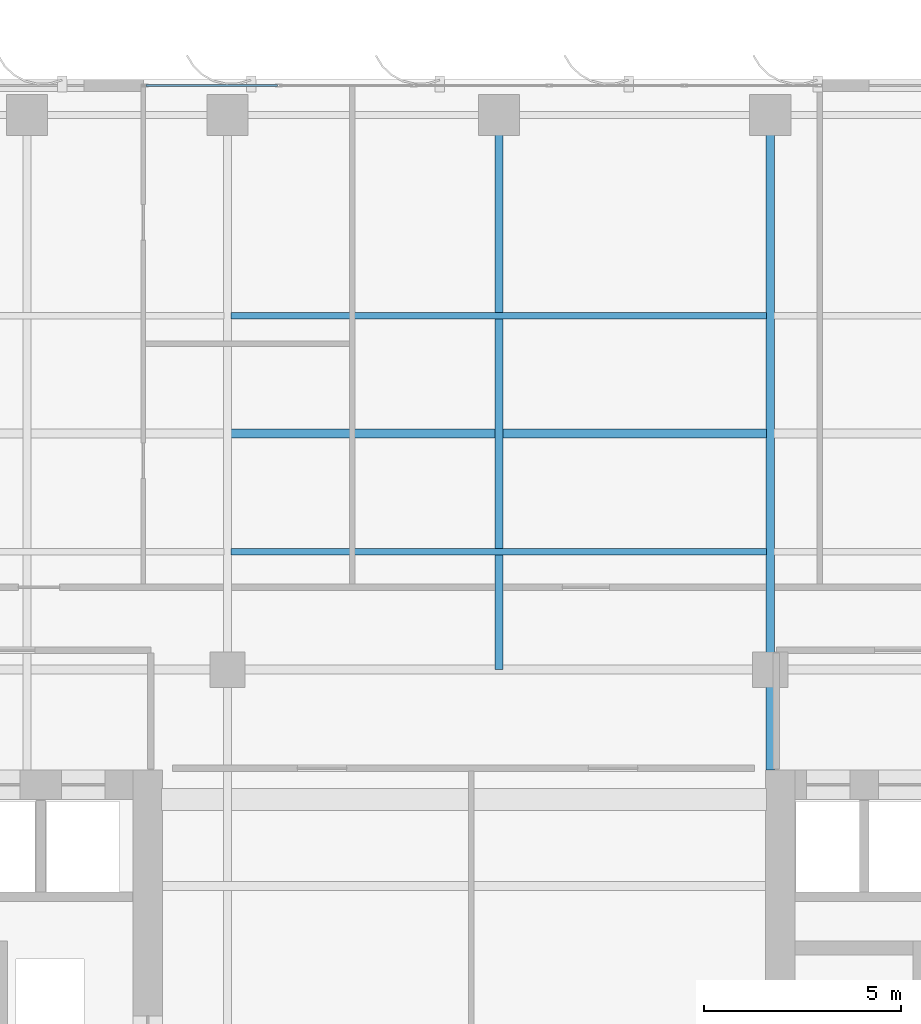
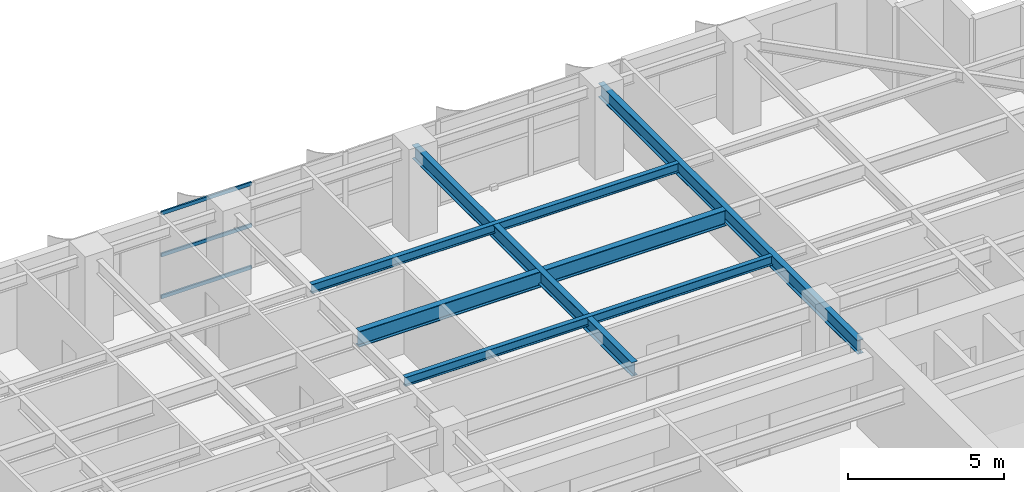
# One storey, part 15 of 26: 5 beams, 3 members, 1 element without a shape of its own.
"""IFC4 building model written with IfcOpenShell, lengths in metres."""

from ifc_helpers import new_model, si_unit, direction, frame, origin, origin_2d, place, context, subcontext, project, spatial, hollow_rectangle, i_section, extrude, source, transform, mapped, material, layer, layer_set, material_profile, profile_set, type_object, element, aggregate, save


model = new_model("IFC4")

# Units and contexts
model_context = context("Model", 3, precision=1e-05, world=origin(), true_north=direction((0.0, 1.0)))
body_context = subcontext(model_context, "Body", "Model", "MODEL_VIEW")
ifc_project = project(units=[si_unit("LENGTHUNIT", "METRE"), si_unit("AREAUNIT", "SQUARE_METRE"), si_unit("VOLUMEUNIT", "CUBIC_METRE"), si_unit("PLANEANGLEUNIT", "RADIAN"), si_unit("MASSUNIT", "GRAM", prefix="KILO")], contexts=[model_context])

# Site, building, storey
site_placement = place(None, origin())
site = spatial("IfcSite", under=ifc_project, at=site_placement, CompositionType="ELEMENT")
building_placement = place(site_placement, origin())
building = spatial("IfcBuilding", under=site, at=building_placement, Name="Khoralis Quay Care Tower", CompositionType="ELEMENT")
storey_placement = place(building_placement, frame((0.0, 0.0, 126.89990234375)))
storey = spatial("IfcBuildingStorey", under=building, at=storey_placement, Name="L33", CompositionType="ELEMENT", Elevation=126.89990234375)

# Beams
ifc_material_1 = material(Name="Steel S355", Category="steel")
ifc_material_profile_1 = material_profile(ifc_material_1, i_section(OverallWidth=0.22998046875, OverallDepth=0.616943359375, WebThickness=0.01318359375, FlangeThickness=0.022216796875, FilletRadius=0.01806640625, at=origin_2d()), Name="Steel S355")
ifc_profile_set_1 = profile_set([ifc_material_profile_1], Name="Steel S355")
beam_type_1 = type_object("IfcBeamType", Name="BM-W610X140", PredefinedType="BEAM", material=ifc_profile_set_1)
shared_shape_1 = source(origin(), body_context, "Body", "SweptSolid", [
    extrude(i_section(OverallWidth=0.22998046875, OverallDepth=0.616943359375, WebThickness=0.01318359375, FlangeThickness=0.022216796875, FilletRadius=0.01806640625, at=origin_2d()), origin(), (0.0, 0.0, 1.0), 13.61181640625),
])
beam_1_placement = place(storey_placement, frame((17.194091796875, 36.0, 3.031494140625), z_axis=(1.0, 0.0, 0.0), x_axis=(0.0, 1.0, 0.0)))
element("IfcBeam", 1, at=beam_1_placement, inside=storey, type_object=beam_type_1, Name="BM-TGCC-L33-360", PredefinedType="BEAM", context=body_context, shape_type="MappedRepresentation", body=[
    mapped(shared_shape_1, transform((0.0, 0.0, 0.0), scale=1.0)),
])
ifc_material_profile_2 = material_profile(ifc_material_1, i_section(OverallWidth=0.2119140625, OverallDepth=0.5439453125, WebThickness=0.01318359375, FlangeThickness=0.021240234375, FilletRadius=0.01611328125, at=origin_2d()), Name="Steel S355")
ifc_profile_set_2 = profile_set([ifc_material_profile_2], Name="Steel S355")
beam_type_2 = type_object("IfcBeamType", Name="BM-W530X123", PredefinedType="BEAM", material=ifc_profile_set_2)
shared_shape_2 = source(origin(), body_context, "Body", "SweptSolid", [
    extrude(i_section(OverallWidth=0.2119140625, OverallDepth=0.5439453125, WebThickness=0.01318359375, FlangeThickness=0.021240234375, FilletRadius=0.01611328125, at=origin_2d()), origin(), (0.0, 0.0, 1.0), 14.10009765625),
])
beam_2_placement = place(storey_placement, frame((24.0, 30.0, 3.068115234375), z_axis=(0.0, 1.0, 0.0), x_axis=(-1.0, 0.0, 0.0)))
element("IfcBeam", 2, at=beam_2_placement, inside=storey, type_object=beam_type_2, Name="BM-TGYN-L33-240", PredefinedType="BEAM", context=body_context, shape_type="MappedRepresentation", body=[
    mapped(shared_shape_2, transform((0.0, 0.0, 0.0), scale=1.0)),
])
shared_shape_3 = source(origin(), body_context, "Body", "SweptSolid", [
    extrude(i_section(OverallWidth=0.2119140625, OverallDepth=0.5439453125, WebThickness=0.01318359375, FlangeThickness=0.021240234375, FilletRadius=0.01611328125, at=origin_2d()), origin(), (0.0, 0.0, 1.0), 16.652099609375),
])
beam_3_placement = place(storey_placement, frame((30.89990234375, 27.447998046875, 3.068115234375), z_axis=(0.0, 1.0, 0.0), x_axis=(-1.0, 0.0, 0.0)))
element("IfcBeam", 3, at=beam_3_placement, inside=storey, type_object=beam_type_2, Name="BM-TGYN-L33-309", PredefinedType="BEAM", context=body_context, shape_type="MappedRepresentation", body=[
    mapped(shared_shape_3, transform((0.0, 0.0, 0.0), scale=1.0)),
])
ifc_material_profile_3 = material_profile(ifc_material_1, i_section(OverallWidth=0.1708984375, OverallDepth=0.35498046875, WebThickness=0.007080078125, FlangeThickness=0.01171875, FilletRadius=0.012939453125, at=origin_2d()), Name="Steel S355")
ifc_profile_set_3 = profile_set([ifc_material_profile_3], Name="Steel S355")
beam_type_3 = type_object("IfcBeamType", Name="BM-W360X51", PredefinedType="JOIST", material=ifc_profile_set_3)
shared_shape_4 = source(origin(), body_context, "Body", "SweptSolid", [
    extrude(i_section(OverallWidth=0.1708984375, OverallDepth=0.35498046875, WebThickness=0.007080078125, FlangeThickness=0.01171875, FilletRadius=0.012939453125, at=origin_2d()), origin(), (0.0, 0.0, 1.0), 13.61181640625),
])
for number, where, z_axis, x_axis, name in (
    (4, (17.194091796875, 33.0, 3.16259765625), (1.0, 0.0, 0.0), (0.0, 1.0, 0.0), "BM-TJS-L33-30"),
    (5, (17.194091796875, 39.0, 3.16259765625), (1.0, 0.0, 0.0), (0.0, 1.0, 0.0), "BM-TJS-L33-33"),
):
    element("IfcBeam", number, at=place(storey_placement, frame(where, z_axis=z_axis, x_axis=x_axis)), inside=storey, type_object=beam_type_3, Name=name, PredefinedType="JOIST", context=body_context, shape_type="MappedRepresentation", body=[
        mapped(shared_shape_4, transform((0.0, 0.0, 0.0), scale=1.0)),
    ])

# Curtain wall, members
ifc_material_2 = material(Name="Pale anodised aluminium", Category="aluminium")
ifc_layer = layer(ifc_material_2, 0.169921875)
ifc_layer_set = layer_set([ifc_layer], Name="Pale anodised aluminium")
curtain_wall_type = type_object("IfcCurtainWallType", Name="CW-SYS-Z2", PredefinedType="NOTDEFINED", material=ifc_layer_set)
curtain_wall_placement = place(storey_placement, origin())
curtain_wall = element("IfcCurtainWall", 6, at=curtain_wall_placement, inside=storey, type_object=curtain_wall_type, Name="L33 Unitised Curtain Wall CW-L33-P1-E10", PredefinedType="NOTDEFINED")
ifc_material_profile_4 = material_profile(ifc_material_2, hollow_rectangle(XDim=0.06005859375, YDim=0.139892578125, WallThickness=0.00390625, at=origin_2d()), Name="Pale anodised aluminium")
ifc_profile_set_4 = profile_set([ifc_material_profile_4], Name="Pale anodised aluminium")
member_type = type_object("IfcMemberType", Name="CW-TRN-140", PredefinedType="USERDEFINED", material=ifc_profile_set_4)
shared_shape_5 = source(origin(), body_context, "Body", "SweptSolid", [
    extrude(hollow_rectangle(XDim=0.06005859375, YDim=0.139892578125, WallThickness=0.00390625, at=origin_2d()), origin(), (0.0, 0.0, 1.0), 3.347900390625),
])
member_1_placement = place(storey_placement, frame((18.368896484375, 44.85009765625, 0.030029296875), z_axis=(-1.0, 0.0, 0.0), x_axis=(0.0, -1.0, 0.0)))
member_1 = element("IfcMember", 7, at=member_1_placement, type_object=member_type, Name="CW2 transom 5.1", ObjectType="TRANSOM", PredefinedType="USERDEFINED", context=body_context, shape_type="MappedRepresentation", body=[
    mapped(shared_shape_5, transform((0.0, 0.0, 0.0), scale=1.0)),
])
member_2_placement = place(storey_placement, frame((18.368896484375, 44.85009765625, 1.670166015625), z_axis=(-1.0, 0.0, 0.0), x_axis=(0.0, -1.0, 0.0)))
member_2 = element("IfcMember", 8, at=member_2_placement, type_object=member_type, Name="CW2 transom 5.2", ObjectType="TRANSOM", PredefinedType="USERDEFINED", context=body_context, shape_type="MappedRepresentation", body=[
    mapped(shared_shape_5, transform((0.0, 0.0, 0.0), scale=1.0)),
])
member_3_placement = place(storey_placement, frame((18.368896484375, 44.85009765625, 3.31005859375), z_axis=(-1.0, 0.0, 0.0), x_axis=(0.0, -1.0, 0.0)))
member_3 = element("IfcMember", 9, at=member_3_placement, type_object=member_type, Name="CW2 transom 5.3", ObjectType="TRANSOM", PredefinedType="USERDEFINED", context=body_context, shape_type="MappedRepresentation", body=[
    mapped(shared_shape_5, transform((0.0, 0.0, 0.0), scale=1.0)),
])
aggregate(curtain_wall, [member_1, member_2, member_3])

save(model, "model.ifc")
